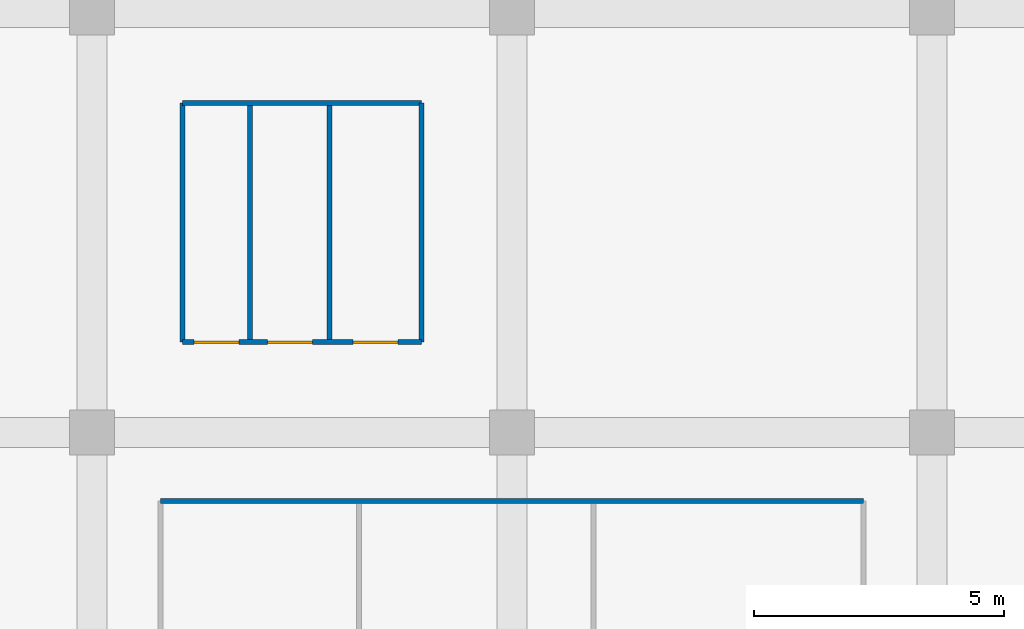
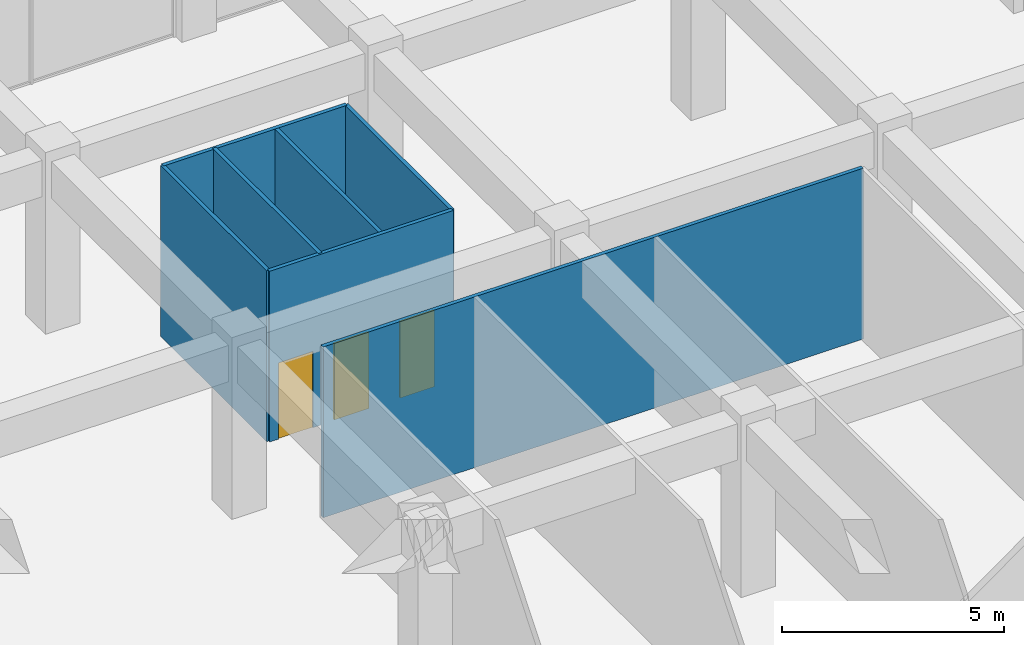
# One storey, part 33 of 36: 7 walls, 3 doors, 3 openings.
"""IFC4 building model written with IfcOpenShell, lengths in metres."""

from ifc_helpers import new_model, si_unit, direction, frame, frame_2d, origin, place, context, subcontext, project, spatial, rectangle, extrude, material, layer, layer_set, type_object, element, fill, save


model = new_model("IFC4")

# Units and contexts
model_context = context("Model", 3, precision=1e-05, world=origin(), true_north=direction((0.0, 1.0)))
body_context = subcontext(model_context, "Body", "Model", "MODEL_VIEW")
ifc_project = project(units=[si_unit("LENGTHUNIT", "METRE"), si_unit("AREAUNIT", "SQUARE_METRE"), si_unit("VOLUMEUNIT", "CUBIC_METRE"), si_unit("PLANEANGLEUNIT", "RADIAN"), si_unit("MASSUNIT", "GRAM", prefix="KILO")], contexts=[model_context])

# Site, building, storey
site_placement = place(None, origin())
site = spatial("IfcSite", under=ifc_project, at=site_placement, CompositionType="ELEMENT")
building_placement = place(site_placement, origin())
building = spatial("IfcBuilding", under=site, at=building_placement, Name="Impinga Residences", CompositionType="ELEMENT")
storey_placement = place(building_placement, frame((0.0, 0.0, 6.0)))
storey = spatial("IfcBuildingStorey", under=building, at=storey_placement, Name="L01", CompositionType="ELEMENT", Elevation=6.0)

# Wall
ifc_material_1 = material(Name="Gypsum board on steel studs", Category="steel")
ifc_layer = layer(ifc_material_1, 0.10009765625)
ifc_layer_set = layer_set([ifc_layer], Name="Gypsum board on steel studs")
wall_type = type_object("IfcWallType", Name="IP1 partition 100", PredefinedType="PARTITIONING", material=ifc_layer_set)
wall_1_placement = place(storey_placement, frame((40.6298828125, 32.22998046875, 0.0), z_axis=(0.0, 0.0, 1.0), x_axis=(-1.0, 0.0, 0.0)))
element("IfcWall", 1, at=wall_1_placement, inside=storey, type_object=wall_type, Name="Partition L01:REG:NE:BLKN", PredefinedType="PARTITIONING", context=body_context, shape_type="SweptSolid", body=[
    extrude(rectangle(XDim=14.059814453125, YDim=0.10009765625, at=frame_2d((7.02978515625, 0.0))), origin(), (0.0, 0.0, 1.0), 4.699951171875),
])

# Wall, openings, doors
wall_2_placement = place(storey_placement, frame((27.010009765625, 35.409912109375, 0.0), z_axis=(0.0, 0.0, 1.0), x_axis=(1.0, 0.0, 0.0)))
wall_2 = element("IfcWall", 2, at=wall_2_placement, inside=storey, type_object=wall_type, Name="Partition L01:REG:NE:B3:BLKS", PredefinedType="PARTITIONING", context=body_context, shape_type="SweptSolid", body=[
    extrude(rectangle(XDim=4.780029296875, YDim=0.10009765625, at=frame_2d((2.39013671875, 0.0))), origin(), (0.0, 0.0, 1.0), 4.699951171875),
])
opening_1_placement = place(wall_2_placement, frame((0.22509765625, 0.0, 0.0)))
opening_1 = element("IfcOpeningElement", 3, at=opening_1_placement, cuts=wall_2, Name="Opening D2", PredefinedType="OPENING", context=body_context, shape_type="SweptSolid", body=[
    extrude(rectangle(XDim=0.89990234375, YDim=2.10009765625, at=frame_2d((0.449951171875, 1.050048828125))), frame((0.0, 0.06005859375, 0.0), z_axis=(0.0, -1.0, 0.0), x_axis=(1.0, 0.0, 0.0)), (0.0, 0.0, 1.0), 0.1201171875),
])
opening_2_placement = place(wall_2_placement, frame((1.697021484375, 0.0, 0.0)))
opening_2 = element("IfcOpeningElement", 4, at=opening_2_placement, cuts=wall_2, Name="Opening D2", PredefinedType="OPENING", context=body_context, shape_type="SweptSolid", body=[
    extrude(rectangle(XDim=0.89990234375, YDim=2.10009765625, at=frame_2d((0.449951171875, 1.050048828125))), frame((0.0, 0.06005859375, 0.0), z_axis=(0.0, -1.0, 0.0), x_axis=(1.0, 0.0, 0.0)), (0.0, 0.0, 1.0), 0.1201171875),
])
opening_3_placement = place(wall_2_placement, frame((3.411865234375, 0.0, 0.0)))
opening_3 = element("IfcOpeningElement", 5, at=opening_3_placement, cuts=wall_2, Name="Opening D2", PredefinedType="OPENING", context=body_context, shape_type="SweptSolid", body=[
    extrude(rectangle(XDim=0.89990234375, YDim=2.10009765625, at=frame_2d((0.449951171875, 1.050048828125))), frame((0.0, 0.06005859375, 0.0), z_axis=(0.0, -1.0, 0.0), x_axis=(1.0, 0.0, 0.0)), (0.0, 0.0, 1.0), 0.1201171875),
])
ifc_material_2 = material(Name="Timber door set", Category="wood")
door_type = type_object("IfcDoorType", Name="D2 internal door 900x2100", OperationType="SINGLE_SWING_LEFT", PredefinedType="DOOR", material=ifc_material_2)
door_1_placement = place(opening_1_placement, origin())
door_1 = element("IfcDoor", 6, at=door_1_placement, inside=storey, type_object=door_type, Name="WC door", OperationType="SINGLE_SWING_LEFT", OverallHeight=2.10009765625, OverallWidth=0.89990234375, PredefinedType="DOOR", context=body_context, shape_type="SweptSolid", body=[
    extrude(rectangle(XDim=0.89990234375, YDim=2.10009765625, at=frame_2d((0.449951171875, 1.050048828125))), frame((0.0, 0.02490234375, 0.0), z_axis=(0.0, -1.0, 0.0), x_axis=(1.0, 0.0, 0.0)), (0.0, 0.0, 1.0), 0.050048828125),
])
fill(opening_1, door_1)
door_2_placement = place(opening_2_placement, origin())
door_2 = element("IfcDoor", 7, at=door_2_placement, inside=storey, type_object=door_type, Name="WC door", OperationType="SINGLE_SWING_LEFT", OverallHeight=2.10009765625, OverallWidth=0.89990234375, PredefinedType="DOOR", context=body_context, shape_type="SweptSolid", body=[
    extrude(rectangle(XDim=0.89990234375, YDim=2.10009765625, at=frame_2d((0.449951171875, 1.050048828125))), frame((0.0, 0.02490234375, 0.0), z_axis=(0.0, -1.0, 0.0), x_axis=(1.0, 0.0, 0.0)), (0.0, 0.0, 1.0), 0.050048828125),
])
fill(opening_2, door_2)
door_3_placement = place(opening_3_placement, origin())
door_3 = element("IfcDoor", 8, at=door_3_placement, inside=storey, type_object=door_type, Name="Accessible WC door", OperationType="SINGLE_SWING_RIGHT", OverallHeight=2.10009765625, OverallWidth=0.89990234375, PredefinedType="DOOR", context=body_context, shape_type="SweptSolid", body=[
    extrude(rectangle(XDim=0.89990234375, YDim=2.10009765625, at=frame_2d((0.449951171875, 1.050048828125))), frame((0.0, 0.02490234375, 0.0), z_axis=(0.0, -1.0, 0.0), x_axis=(1.0, 0.0, 0.0)), (0.0, 0.0, 1.0), 0.050048828125),
])
fill(opening_3, door_3)

# Walls
for number, where, z_axis, x_axis, name in (
    (9, (31.7900390625, 35.409912109375, 0.0), (0.0, 0.0, 1.0), (0.0, 1.0, 0.0), "Partition L01:REG:NE:B3:BLKE"),
    (10, (31.7900390625, 40.18994140625, 0.0), (0.0, 0.0, 1.0), (-1.0, 0.0, 0.0), "Partition L01:REG:NE:B3:BLKN"),
    (11, (27.010009765625, 40.18994140625, 0.0), (0.0, 0.0, 1.0), (0.0, -1.0, 0.0), "Partition L01:REG:NE:B3:BLKW"),
    (12, (28.3603515625, 35.409912109375, 0.0), (0.0, 0.0, 1.0), (0.0, 1.0, 0.0), "Partition L01:REG:NE:B3:BLKP1"),
    (13, (29.95361328125, 35.409912109375, 0.0), (0.0, 0.0, 1.0), (0.0, 1.0, 0.0), "Partition L01:REG:NE:B3:BLKP2"),
):
    element("IfcWall", number, at=place(storey_placement, frame(where, z_axis=z_axis, x_axis=x_axis)), inside=storey, type_object=wall_type, Name=name, PredefinedType="PARTITIONING", context=body_context, shape_type="SweptSolid", body=[
        extrude(rectangle(XDim=4.780029296875, YDim=0.10009765625, at=frame_2d((2.39013671875, 0.0))), origin(), (0.0, 0.0, 1.0), 4.699951171875),
    ])

save(model, "model.ifc")
